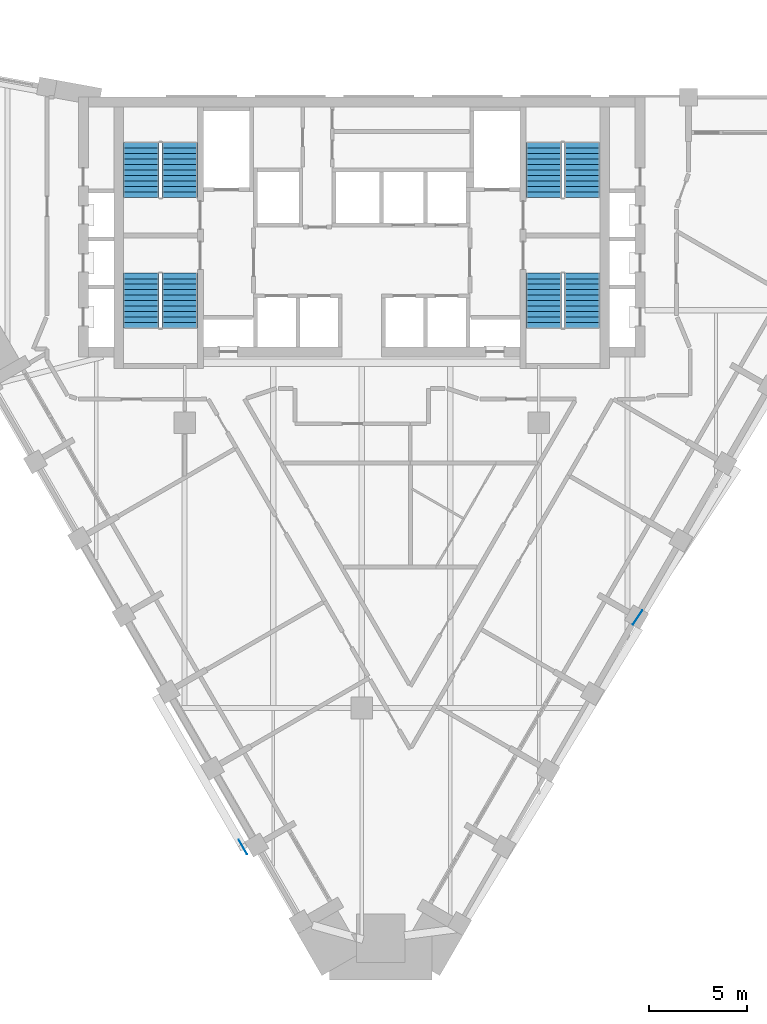
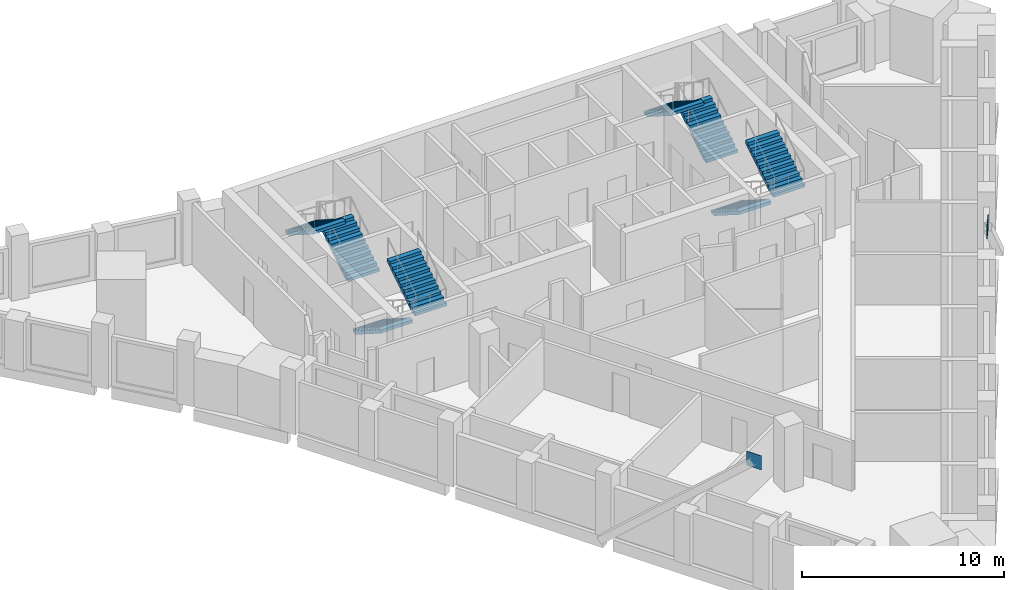
# One storey, part 8 of 9: 8 stair flights, 2 discrete accessories, 4 elements without a shape of their own.
"""IFC4 building model written with IfcOpenShell, lengths in metres."""

from ifc_helpers import new_model, si_unit, direction, frame, origin, origin_2d, place, context, subcontext, project, spatial, rectangle, extrude, faceted_brep, source, transform, mapped, material, type_object, element, aggregate, save


model = new_model("IFC4")

# Units and contexts
model_context = context("Model", 3, precision=1e-05, world=origin(), true_north=direction((0.0, 1.0)))
body_context = subcontext(model_context, "Body", "Model", "MODEL_VIEW")
ifc_project = project(units=[si_unit("LENGTHUNIT", "METRE"), si_unit("AREAUNIT", "SQUARE_METRE"), si_unit("VOLUMEUNIT", "CUBIC_METRE"), si_unit("PLANEANGLEUNIT", "RADIAN"), si_unit("MASSUNIT", "GRAM", prefix="KILO")], contexts=[model_context])

# Site, building, storey
site_placement = place(None, origin())
site = spatial("IfcSite", under=ifc_project, at=site_placement, CompositionType="ELEMENT")
building_placement = place(site_placement, origin())
building = spatial("IfcBuilding", under=site, at=building_placement, Name="Calabash Gate Tower", CompositionType="ELEMENT")
storey_placement = place(building_placement, frame((0.0, 0.0, 212.0)))
storey = spatial("IfcBuildingStorey", under=building, at=storey_placement, Name="L50", CompositionType="ELEMENT", Elevation=212.0)

# Stair, stair flights
ifc_material_1 = material(Name="Concrete C40/50", Category="concrete")
stair_type = type_object("IfcStairType", Name="Exit stair 22 risers of 177.3 mm", PredefinedType="HALF_TURN_STAIR", material=ifc_material_1)
stair_1_placement = place(storey_placement, origin())
stair_1 = element("IfcStair", 1, at=stair_1_placement, inside=storey, type_object=stair_type, Name="L50 Exit stair ST1", PredefinedType="HALF_TURN_STAIR")
ifc_material_2 = material(Name="Concrete C40/50", Category="concrete")
stair_flight_type = type_object("IfcStairFlightType", Name="Exit stair flight SFL", PredefinedType="STRAIGHT", material=ifc_material_2)
shared_shape = source(origin(), body_context, "Body", "Brep", [
    faceted_brep([(-0.0009765625, -0.89990234375, 0.0), (0.279541015625, -0.89990234375, 0.0), (2.791015625, -0.89990234375, 1.59521484375), (-0.0009765625, 0.89990234375, 0.0), (2.791015625, 0.89990234375, 1.59521484375), (0.279541015625, 0.89990234375, 0.0), (2.791015625, -0.89990234375, 1.78466796875), (2.7900390625, -0.89990234375, 1.78466796875), (2.7900390625, 0.89990234375, 1.78466796875), (2.791015625, 0.89990234375, 1.78466796875), (2.7900390625, -0.89990234375, 1.772705078125), (2.7900390625, 0.89990234375, 1.772705078125), (2.510986328125, -0.89990234375, 1.772705078125), (2.510986328125, 0.89990234375, 1.772705078125), (2.510986328125, -0.89990234375, 1.595458984375), (2.510986328125, 0.89990234375, 1.595458984375), (2.23193359375, -0.89990234375, 1.595458984375), (2.23193359375, 0.89990234375, 1.595458984375), (2.23193359375, -0.89990234375, 1.418212890625), (2.23193359375, 0.89990234375, 1.418212890625), (1.952880859375, -0.89990234375, 1.418212890625), (1.952880859375, -0.89990234375, 1.240966796875), (1.952880859375, 0.89990234375, 1.240966796875), (1.952880859375, 0.89990234375, 1.418212890625), (1.674072265625, -0.89990234375, 1.240966796875), (1.674072265625, -0.89990234375, 1.063720703125), (1.674072265625, 0.89990234375, 1.063720703125), (1.674072265625, 0.89990234375, 1.240966796875), (1.39501953125, -0.89990234375, 1.063720703125), (1.39501953125, -0.89990234375, 0.886474609375), (1.39501953125, 0.89990234375, 0.886474609375), (1.39501953125, 0.89990234375, 1.063720703125), (1.115966796875, -0.89990234375, 0.886474609375), (1.115966796875, -0.89990234375, 0.708984375), (1.115966796875, 0.89990234375, 0.708984375), (1.115966796875, 0.89990234375, 0.886474609375), (0.8369140625, -0.89990234375, 0.708984375), (0.8369140625, -0.89990234375, 0.53173828125), (0.8369140625, 0.89990234375, 0.53173828125), (0.8369140625, 0.89990234375, 0.708984375), (0.55810546875, -0.89990234375, 0.53173828125), (0.55810546875, -0.89990234375, 0.3544921875), (0.55810546875, 0.89990234375, 0.3544921875), (0.55810546875, 0.89990234375, 0.53173828125), (0.279052734375, -0.89990234375, 0.3544921875), (0.279052734375, -0.89990234375, 0.17724609375), (0.279052734375, 0.89990234375, 0.17724609375), (0.279052734375, 0.89990234375, 0.3544921875), (-0.0009765625, -0.89990234375, 0.17724609375), (-0.0009765625, 0.89990234375, 0.17724609375), (0.279541015625, -0.360107421875, 0.0), (2.791015625, -0.360107421875, 1.59521484375), (0.279541015625, 0.0, 0.0), (2.791015625, 0.0, 1.59521484375), (0.279541015625, 0.360107421875, 0.0), (2.791015625, 0.360107421875, 1.59521484375), (2.791015625, -0.360107421875, 1.78466796875), (2.791015625, 0.0, 1.78466796875), (2.791015625, 0.360107421875, 1.78466796875), (2.7900390625, -0.360107421875, 1.78466796875), (2.7900390625, 0.0, 1.78466796875), (2.7900390625, 0.360107421875, 1.78466796875), (2.7900390625, -0.360107421875, 1.772705078125), (2.7900390625, 0.0, 1.772705078125), (2.7900390625, 0.360107421875, 1.772705078125), (2.510986328125, -0.360107421875, 1.772705078125), (2.510986328125, 0.0, 1.772705078125), (2.510986328125, 0.360107421875, 1.772705078125), (2.510986328125, -0.360107421875, 1.595458984375), (2.510986328125, 0.0, 1.595458984375), (2.510986328125, 0.360107421875, 1.595458984375), (2.23193359375, -0.360107421875, 1.595458984375), (2.23193359375, 0.0, 1.595458984375), (2.23193359375, 0.360107421875, 1.595458984375), (2.23193359375, -0.360107421875, 1.418212890625), (2.23193359375, 0.0, 1.418212890625), (2.23193359375, 0.360107421875, 1.418212890625), (1.952880859375, -0.360107421875, 1.418212890625), (1.952880859375, 0.0, 1.418212890625), (1.952880859375, 0.360107421875, 1.418212890625), (1.952880859375, -0.360107421875, 1.240966796875), (1.952880859375, 0.0, 1.240966796875), (1.952880859375, 0.360107421875, 1.240966796875), (1.674072265625, -0.360107421875, 1.240966796875), (1.674072265625, 0.0, 1.240966796875), (1.674072265625, 0.360107421875, 1.240966796875), (1.674072265625, -0.360107421875, 1.063720703125), (1.674072265625, 0.0, 1.063720703125), (1.674072265625, 0.360107421875, 1.063720703125), (1.39501953125, -0.360107421875, 1.063720703125), (1.39501953125, 0.0, 1.063720703125), (1.39501953125, 0.360107421875, 1.063720703125), (1.39501953125, -0.360107421875, 0.886474609375), (1.39501953125, 0.0, 0.886474609375), (1.39501953125, 0.360107421875, 0.886474609375), (1.115966796875, -0.360107421875, 0.886474609375), (1.115966796875, 0.0, 0.886474609375), (1.115966796875, 0.360107421875, 0.886474609375), (1.115966796875, -0.360107421875, 0.708984375), (1.115966796875, 0.0, 0.708984375), (1.115966796875, 0.360107421875, 0.708984375), (0.8369140625, -0.360107421875, 0.708984375), (0.8369140625, 0.0, 0.708984375), (0.8369140625, 0.360107421875, 0.708984375), (0.8369140625, -0.360107421875, 0.53173828125), (0.8369140625, 0.0, 0.53173828125), (0.8369140625, 0.360107421875, 0.53173828125), (0.55810546875, -0.360107421875, 0.53173828125), (0.55810546875, 0.0, 0.53173828125), (0.55810546875, 0.360107421875, 0.53173828125), (0.55810546875, -0.360107421875, 0.3544921875), (0.55810546875, 0.0, 0.3544921875), (0.55810546875, 0.360107421875, 0.3544921875), (0.279052734375, -0.360107421875, 0.3544921875), (0.279052734375, 0.0, 0.3544921875), (0.279052734375, 0.360107421875, 0.3544921875), (0.279052734375, -0.360107421875, 0.17724609375), (0.279052734375, 0.0, 0.17724609375), (0.279052734375, 0.360107421875, 0.17724609375), (-0.0009765625, -0.360107421875, 0.17724609375), (-0.0009765625, 0.0, 0.17724609375), (-0.0009765625, 0.360107421875, 0.17724609375), (-0.0009765625, -0.360107421875, 0.0), (-0.0009765625, 0.0, 0.0), (-0.0009765625, 0.360107421875, 0.0)], [[[0, 1, 2]], [[3, 4, 5]], [[2, 6, 7]], [[4, 8, 9]], [[2, 7, 10]], [[4, 11, 8]], [[2, 10, 12]], [[4, 13, 11]], [[2, 12, 14]], [[4, 15, 13]], [[2, 14, 16]], [[4, 17, 15]], [[2, 16, 18]], [[4, 19, 17]], [[18, 20, 21]], [[19, 22, 23]], [[2, 18, 21]], [[4, 22, 19]], [[21, 24, 25]], [[22, 26, 27]], [[2, 21, 25]], [[4, 26, 22]], [[25, 28, 29]], [[26, 30, 31]], [[2, 25, 29]], [[4, 30, 26]], [[29, 32, 33]], [[30, 34, 35]], [[2, 29, 33]], [[4, 34, 30]], [[33, 36, 37]], [[34, 38, 39]], [[2, 33, 37]], [[4, 38, 34]], [[37, 40, 41]], [[38, 42, 43]], [[2, 37, 41]], [[4, 42, 38]], [[41, 44, 45]], [[42, 46, 47]], [[2, 41, 45]], [[4, 46, 42]], [[0, 2, 45]], [[3, 46, 4]], [[45, 48, 0]], [[46, 3, 49]], [[1, 50, 2]], [[50, 51, 2]], [[50, 52, 51]], [[52, 53, 51]], [[52, 54, 55]], [[52, 55, 53]], [[54, 5, 4]], [[54, 4, 55]], [[2, 51, 6]], [[51, 56, 6]], [[51, 53, 56]], [[53, 57, 56]], [[53, 55, 58]], [[53, 58, 57]], [[55, 4, 9]], [[55, 9, 58]], [[6, 56, 7]], [[56, 59, 7]], [[56, 57, 59]], [[57, 60, 59]], [[57, 58, 61]], [[57, 61, 60]], [[58, 9, 8]], [[58, 8, 61]], [[7, 59, 10]], [[59, 62, 10]], [[59, 60, 62]], [[60, 63, 62]], [[60, 61, 64]], [[60, 64, 63]], [[61, 8, 11]], [[61, 11, 64]], [[10, 62, 12]], [[62, 65, 12]], [[62, 63, 65]], [[63, 66, 65]], [[63, 64, 67]], [[63, 67, 66]], [[64, 11, 13]], [[64, 13, 67]], [[12, 65, 14]], [[65, 68, 14]], [[65, 66, 68]], [[66, 69, 68]], [[66, 67, 70]], [[66, 70, 69]], [[67, 13, 15]], [[67, 15, 70]], [[14, 68, 16]], [[68, 71, 16]], [[68, 69, 71]], [[69, 72, 71]], [[69, 70, 73]], [[69, 73, 72]], [[70, 15, 17]], [[70, 17, 73]], [[16, 71, 18]], [[71, 74, 18]], [[71, 72, 74]], [[72, 75, 74]], [[72, 73, 76]], [[72, 76, 75]], [[73, 17, 19]], [[73, 19, 76]], [[18, 74, 20]], [[74, 77, 20]], [[74, 75, 77]], [[75, 78, 77]], [[75, 76, 79]], [[75, 79, 78]], [[76, 19, 23]], [[76, 23, 79]], [[20, 77, 21]], [[77, 80, 21]], [[77, 78, 80]], [[78, 81, 80]], [[78, 79, 82]], [[78, 82, 81]], [[79, 23, 22]], [[79, 22, 82]], [[21, 80, 24]], [[80, 83, 24]], [[80, 81, 83]], [[81, 84, 83]], [[81, 82, 85]], [[81, 85, 84]], [[82, 22, 27]], [[82, 27, 85]], [[24, 83, 25]], [[83, 86, 25]], [[83, 84, 86]], [[84, 87, 86]], [[84, 85, 88]], [[84, 88, 87]], [[85, 27, 26]], [[85, 26, 88]], [[25, 86, 28]], [[86, 89, 28]], [[86, 87, 89]], [[87, 90, 89]], [[87, 88, 91]], [[87, 91, 90]], [[88, 26, 31]], [[88, 31, 91]], [[28, 89, 29]], [[89, 92, 29]], [[89, 90, 92]], [[90, 93, 92]], [[90, 91, 94]], [[90, 94, 93]], [[91, 31, 30]], [[91, 30, 94]], [[29, 92, 32]], [[92, 95, 32]], [[92, 93, 95]], [[93, 96, 95]], [[93, 94, 97]], [[93, 97, 96]], [[94, 30, 35]], [[94, 35, 97]], [[32, 95, 33]], [[95, 98, 33]], [[95, 96, 98]], [[96, 99, 98]], [[96, 97, 100]], [[96, 100, 99]], [[97, 35, 34]], [[97, 34, 100]], [[33, 98, 36]], [[98, 101, 36]], [[98, 99, 101]], [[99, 102, 101]], [[99, 100, 103]], [[99, 103, 102]], [[100, 34, 39]], [[100, 39, 103]], [[36, 101, 37]], [[101, 104, 37]], [[101, 102, 104]], [[102, 105, 104]], [[102, 103, 106]], [[102, 106, 105]], [[103, 39, 38]], [[103, 38, 106]], [[37, 104, 40]], [[104, 107, 40]], [[104, 105, 107]], [[105, 108, 107]], [[105, 106, 109]], [[105, 109, 108]], [[106, 38, 43]], [[106, 43, 109]], [[40, 107, 41]], [[107, 110, 41]], [[107, 108, 110]], [[108, 111, 110]], [[108, 109, 112]], [[108, 112, 111]], [[109, 43, 42]], [[109, 42, 112]], [[41, 110, 44]], [[110, 113, 44]], [[110, 111, 113]], [[111, 114, 113]], [[111, 112, 115]], [[111, 115, 114]], [[112, 42, 47]], [[112, 47, 115]], [[44, 113, 45]], [[113, 116, 45]], [[113, 114, 116]], [[114, 117, 116]], [[114, 115, 118]], [[114, 118, 117]], [[115, 47, 46]], [[115, 46, 118]], [[45, 116, 48]], [[116, 119, 48]], [[116, 117, 119]], [[117, 120, 119]], [[117, 118, 121]], [[117, 121, 120]], [[118, 46, 49]], [[118, 49, 121]], [[48, 119, 0]], [[119, 122, 0]], [[119, 120, 122]], [[120, 123, 122]], [[120, 121, 124]], [[120, 124, 123]], [[121, 49, 3]], [[121, 3, 124]], [[0, 122, 1]], [[122, 50, 1]], [[122, 123, 50]], [[123, 52, 50]], [[123, 124, 54]], [[123, 54, 52]], [[124, 3, 5]], [[124, 5, 54]]]),
])
stair_flight_1_placement = place(storey_placement, frame((-9.25, 13.95263671875, 0.0), z_axis=(0.0, 0.0, 1.0), x_axis=(0.0, 1.0, 0.0)))
stair_flight_1 = element("IfcStairFlight", 2, at=stair_flight_1_placement, type_object=stair_flight_type, Name="ST1 flight 1", NumberOfRisers=11, NumberOfTreads=10, PredefinedType="STRAIGHT", RiserHeight=0.177272727, TreadLength=0.279, context=body_context, shape_type="MappedRepresentation", body=[
    mapped(shared_shape, transform((0.0, 0.0, 0.0), scale=1.0)),
])
stair_flight_2_placement = place(storey_placement, frame((-11.199951171875, 16.74267578125, 1.949951171875), z_axis=(0.0, 0.0, 1.0), x_axis=(0.0, -1.0, 0.0)))
stair_flight_2 = element("IfcStairFlight", 3, at=stair_flight_2_placement, type_object=stair_flight_type, Name="ST1 flight 2", NumberOfRisers=11, NumberOfTreads=10, PredefinedType="STRAIGHT", RiserHeight=0.177272727, TreadLength=0.279, context=body_context, shape_type="MappedRepresentation", body=[
    mapped(shared_shape, transform((0.0, 0.0, 0.0), scale=1.0)),
])
aggregate(stair_1, [stair_flight_1, stair_flight_2])

stair_2_placement = place(storey_placement, origin())
stair_2 = element("IfcStair", 4, at=stair_2_placement, inside=storey, type_object=stair_type, Name="L50 Exit stair ST2", PredefinedType="HALF_TURN_STAIR")
stair_flight_3_placement = place(storey_placement, frame((-11.199951171875, 10.1025390625, 0.0), z_axis=(0.0, 0.0, 1.0), x_axis=(0.0, -1.0, 0.0)))
stair_flight_3 = element("IfcStairFlight", 5, at=stair_flight_3_placement, type_object=stair_flight_type, Name="ST2 flight 1", NumberOfRisers=11, NumberOfTreads=10, PredefinedType="STRAIGHT", RiserHeight=0.177272727, TreadLength=0.279, context=body_context, shape_type="MappedRepresentation", body=[
    mapped(shared_shape, transform((0.0, 0.0, 0.0), scale=1.0)),
])
stair_flight_4_placement = place(storey_placement, frame((-9.25, 7.3125, 1.949951171875), z_axis=(0.0, 0.0, 1.0), x_axis=(0.0, 1.0, 0.0)))
stair_flight_4 = element("IfcStairFlight", 6, at=stair_flight_4_placement, type_object=stair_flight_type, Name="ST2 flight 2", NumberOfRisers=11, NumberOfTreads=10, PredefinedType="STRAIGHT", RiserHeight=0.177272727, TreadLength=0.279, context=body_context, shape_type="MappedRepresentation", body=[
    mapped(shared_shape, transform((0.0, 0.0, 0.0), scale=1.0)),
])
aggregate(stair_2, [stair_flight_3, stair_flight_4])

stair_3_placement = place(storey_placement, origin())
stair_3 = element("IfcStair", 7, at=stair_3_placement, inside=storey, type_object=stair_type, Name="L50 Exit stair ST3", PredefinedType="HALF_TURN_STAIR")
stair_flight_5_placement = place(storey_placement, frame((11.199951171875, 13.95263671875, 0.0), z_axis=(0.0, 0.0, 1.0), x_axis=(0.0, 1.0, 0.0)))
stair_flight_5 = element("IfcStairFlight", 8, at=stair_flight_5_placement, type_object=stair_flight_type, Name="ST3 flight 1", NumberOfRisers=11, NumberOfTreads=10, PredefinedType="STRAIGHT", RiserHeight=0.177272727, TreadLength=0.279, context=body_context, shape_type="MappedRepresentation", body=[
    mapped(shared_shape, transform((0.0, 0.0, 0.0), scale=1.0)),
])
stair_flight_6_placement = place(storey_placement, frame((9.25, 16.74267578125, 1.949951171875), z_axis=(0.0, 0.0, 1.0), x_axis=(0.0, -1.0, 0.0)))
stair_flight_6 = element("IfcStairFlight", 9, at=stair_flight_6_placement, type_object=stair_flight_type, Name="ST3 flight 2", NumberOfRisers=11, NumberOfTreads=10, PredefinedType="STRAIGHT", RiserHeight=0.177272727, TreadLength=0.279, context=body_context, shape_type="MappedRepresentation", body=[
    mapped(shared_shape, transform((0.0, 0.0, 0.0), scale=1.0)),
])
aggregate(stair_3, [stair_flight_5, stair_flight_6])

stair_4_placement = place(storey_placement, origin())
stair_4 = element("IfcStair", 10, at=stair_4_placement, inside=storey, type_object=stair_type, Name="L50 Exit stair ST4", PredefinedType="HALF_TURN_STAIR")
stair_flight_7_placement = place(storey_placement, frame((9.25, 10.1025390625, 0.0), z_axis=(0.0, 0.0, 1.0), x_axis=(0.0, -1.0, 0.0)))
stair_flight_7 = element("IfcStairFlight", 11, at=stair_flight_7_placement, type_object=stair_flight_type, Name="ST4 flight 1", NumberOfRisers=11, NumberOfTreads=10, PredefinedType="STRAIGHT", RiserHeight=0.177272727, TreadLength=0.279, context=body_context, shape_type="MappedRepresentation", body=[
    mapped(shared_shape, transform((0.0, 0.0, 0.0), scale=1.0)),
])
stair_flight_8_placement = place(storey_placement, frame((11.199951171875, 7.3125, 1.949951171875), z_axis=(0.0, 0.0, 1.0), x_axis=(0.0, 1.0, 0.0)))
stair_flight_8 = element("IfcStairFlight", 12, at=stair_flight_8_placement, type_object=stair_flight_type, Name="ST4 flight 2", NumberOfRisers=11, NumberOfTreads=10, PredefinedType="STRAIGHT", RiserHeight=0.177272727, TreadLength=0.279, context=body_context, shape_type="MappedRepresentation", body=[
    mapped(shared_shape, transform((0.0, 0.0, 0.0), scale=1.0)),
])
aggregate(stair_4, [stair_flight_7, stair_flight_8])

# Discrete accessories
ifc_material_3 = material(Name="Steel ASTM A572 Gr50", Category="steel")
discrete_accessory_type = type_object("IfcDiscreteAccessoryType", Name="Connection plate 25", PredefinedType="BRACKET", material=ifc_material_3)
for number, where, z_axis, x_axis, name in (
    (13, (-6.039306640625, -19.06298828125, 7.375), (0.0, 0.0, 1.0), (0.49999996977, -0.866025421238, 0.0), "Connection plate Mega-brace SW Z4 30 end"),
    (14, (14.02490234375, -7.399169921875, 7.375), (0.0, 0.0, 1.0), (-0.555828184007, -0.831297197074, 0.0), "Connection plate Mega-brace SE Z4 34 end"),
):
    element("IfcDiscreteAccessory", number, at=place(storey_placement, frame(where, z_axis=z_axis, x_axis=x_axis)), inside=storey, type_object=discrete_accessory_type, Name=name, PredefinedType="BRACKET", context=body_context, shape_type="SweptSolid", body=[
        extrude(rectangle(XDim=0.850341796875, YDim=0.02490234375, at=origin_2d()), origin(), (0.0, 0.0, 1.0), 0.850341796875),
    ])

save(model, "model.ifc")
